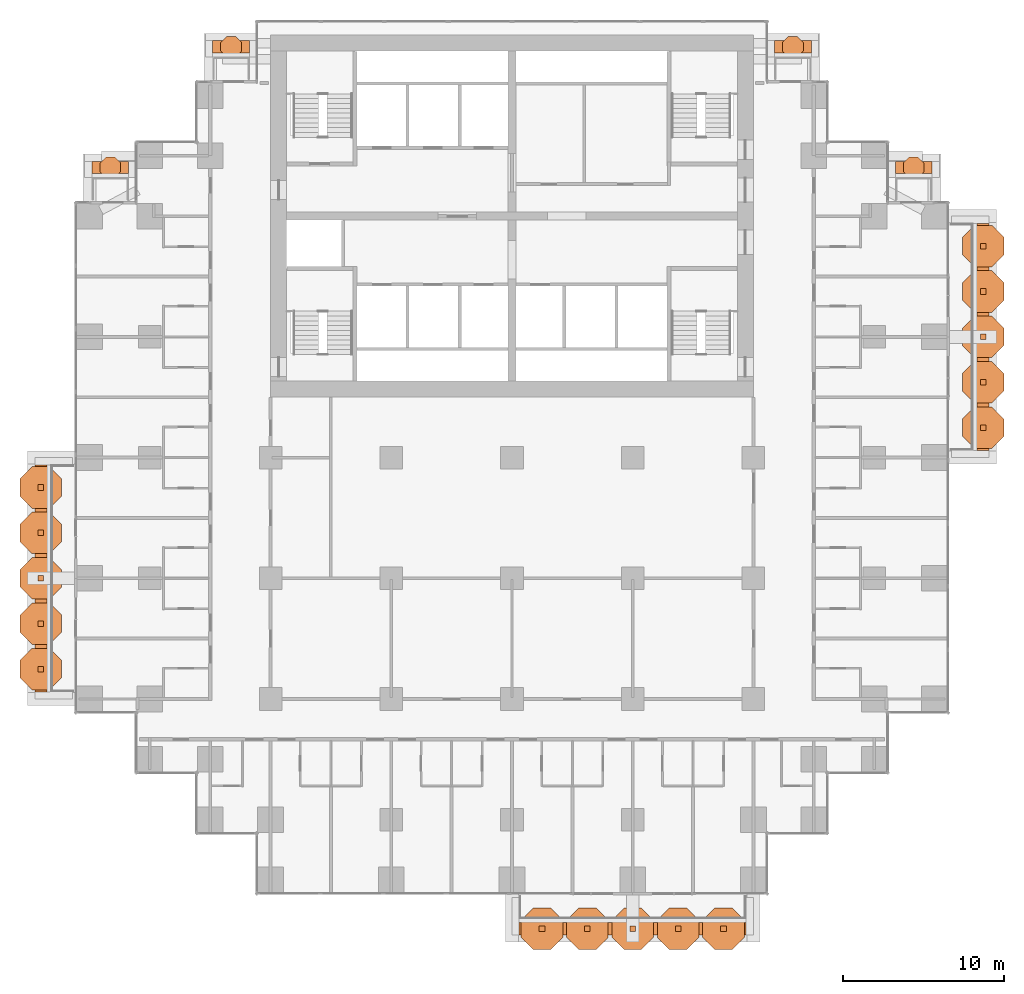
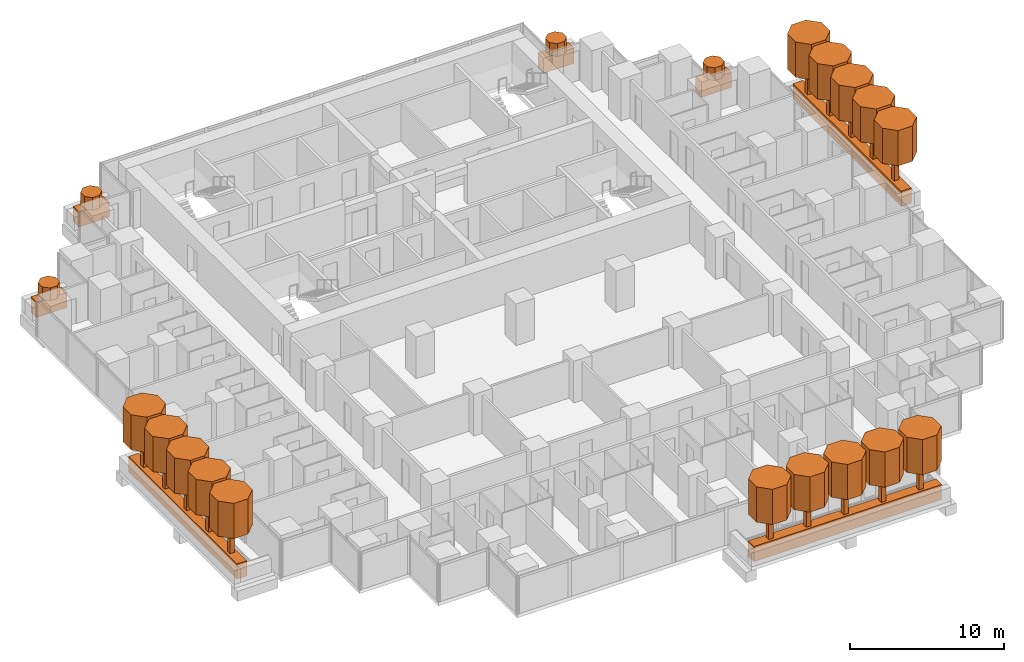
# One storey, part 19 of 19: 41 geographic elements.
"""IFC4 building model written with IfcOpenShell, lengths in metres."""

from ifc_helpers import new_model, si_unit, direction, frame, origin, origin_2d, place, context, subcontext, project, spatial, polyline, rectangle, outline, extrude, material, material_profile, profile_set, type_object, element, save


model = new_model("IFC4")

# Units and contexts
model_context = context("Model", 3, precision=1e-05, world=origin(), true_north=direction((0.0, 1.0)))
body_context = subcontext(model_context, "Body", "Model", "MODEL_VIEW")
ifc_project = project(units=[si_unit("LENGTHUNIT", "METRE"), si_unit("AREAUNIT", "SQUARE_METRE"), si_unit("VOLUMEUNIT", "CUBIC_METRE"), si_unit("PLANEANGLEUNIT", "RADIAN"), si_unit("MASSUNIT", "GRAM", prefix="KILO")], contexts=[model_context])

# Site, building, storey
site_placement = place(None, origin())
site = spatial("IfcSite", under=ifc_project, at=site_placement, CompositionType="ELEMENT")
building_placement = place(site_placement, origin())
building = spatial("IfcBuilding", under=site, at=building_placement, Name="Pilkhan Gate Tower", CompositionType="ELEMENT")
storey_placement = place(building_placement, frame((0.0, 0.0, 46.10009765625)))
storey = spatial("IfcBuildingStorey", under=building, at=storey_placement, Name="L08", CompositionType="ELEMENT", Elevation=46.10009765625)

# Geographic elements
ifc_material_1 = material(Name="Foliage")
ifc_material_profile_1 = material_profile(ifc_material_1, rectangle(XDim=0.75, YDim=1.199951171875, at=origin_2d()), Name="Bed 750x1200")
ifc_profile_set_1 = profile_set([ifc_material_profile_1], Name="Foliage")
geographic_element_type_1 = type_object("IfcGeographicElementType", Name="Planting bed PB1", PredefinedType="USERDEFINED", material=ifc_profile_set_1)
for number, where, z_axis, x_axis, name in (
    (1, (75.449951171875, 38.22509765625, 0.599853515625), (1.0, 0.0, 0.0), (0.0, 1.0, 0.0), "Balcony L08 S planting bed"),
    (2, (104.27490234375, 67.949951171875, 0.599853515625), (0.0, 1.0, 0.0), (-1.0, 0.0, 0.0), "Balcony L08 E planting bed"),
):
    element("IfcGeographicElement", number, at=place(storey_placement, frame(where, z_axis=z_axis, x_axis=x_axis)), inside=storey, type_object=geographic_element_type_1, Name=name, ObjectType="PLANTING BED", PredefinedType="USERDEFINED", context=body_context, shape_type="SweptSolid", body=[
        extrude(rectangle(XDim=0.75, YDim=1.199951171875, at=origin_2d()), origin(), (0.0, 0.0, 1.0), 14.10009765625),
    ])
for number, where, z_axis, x_axis, name in (
    (3, (56.39990234375, 93.02490234375, 0.599853515625), (1.0, 0.0, 0.0), (0.0, 1.0, 0.0), "Balcony L08 N planting bed"),
    (4, (91.300048828125, 93.02490234375, 0.599853515625), (1.0, 0.0, 0.0), (0.0, 1.0, 0.0), "Balcony L08 N planting bed"),
):
    element("IfcGeographicElement", number, at=place(storey_placement, frame(where, z_axis=z_axis, x_axis=x_axis)), inside=storey, type_object=geographic_element_type_1, Name=name, ObjectType="PLANTING BED", PredefinedType="USERDEFINED", context=body_context, shape_type="SweptSolid", body=[
        extrude(rectangle(XDim=0.75, YDim=1.199951171875, at=origin_2d()), origin(), (0.0, 0.0, 1.0), 2.300048828125),
    ])
for number, where, z_axis, x_axis, name in (
    (5, (48.89990234375, 85.52490234375, 0.599853515625), (1.0, 0.0, 0.0), (0.0, 1.0, 0.0), "Balcony L08 N planting bed"),
    (6, (98.820068359375, 85.52490234375, 0.599853515625), (1.0, 0.0, 0.0), (0.0, 1.0, 0.0), "Balcony L08 N planting bed"),
):
    element("IfcGeographicElement", number, at=place(storey_placement, frame(where, z_axis=z_axis, x_axis=x_axis)), inside=storey, type_object=geographic_element_type_1, Name=name, ObjectType="PLANTING BED", PredefinedType="USERDEFINED", context=body_context, shape_type="SweptSolid", body=[
        extrude(rectangle(XDim=0.75, YDim=1.199951171875, at=origin_2d()), origin(), (0.0, 0.0, 1.0), 2.280029296875),
    ])
geographic_element_placement = place(storey_placement, frame((45.72509765625, 52.949951171875, 0.599853515625), z_axis=(0.0, 1.0, 0.0), x_axis=(-1.0, 0.0, 0.0)))
element("IfcGeographicElement", 7, at=geographic_element_placement, inside=storey, type_object=geographic_element_type_1, Name="Balcony L08 W planting bed", ObjectType="PLANTING BED", PredefinedType="USERDEFINED", context=body_context, shape_type="SweptSolid", body=[
    extrude(rectangle(XDim=0.75, YDim=1.199951171875, at=origin_2d()), origin(), (0.0, 0.0, 1.0), 14.10009765625),
])
ifc_material_profile_2 = material_profile(ifc_material_1, outline(polyline([(0.646728515625, 0.267822265625), (0.267822265625, 0.646728515625), (-0.267822265625, 0.646728515625), (-0.646728515625, 0.267822265625), (-0.646728515625, -0.267822265625), (-0.267822265625, -0.646728515625), (0.267822265625, -0.646728515625), (0.646728515625, -0.267822265625), (0.646728515625, 0.267822265625)])), Name="Shrub D1.4")
ifc_profile_set_2 = profile_set([ifc_material_profile_2], Name="Foliage")
geographic_element_type_2 = type_object("IfcGeographicElementType", Name="Shrub SH07", PredefinedType="USERDEFINED", material=ifc_profile_set_2)
for number, where, z_axis, x_axis, name in (
    (8, (57.550048828125, 93.02490234375, 1.199951171875), (0.0, 0.0, 1.0), (1.0, 0.0, 0.0), "Shrub L08 N 1"),
    (9, (92.449951171875, 93.02490234375, 1.199951171875), (0.0, 0.0, 1.0), (1.0, 0.0, 0.0), "Shrub L08 N 1"),
    (10, (50.0400390625, 85.52490234375, 1.199951171875), (0.0, 0.0, 1.0), (1.0, 0.0, 0.0), "Shrub L08 N 1"),
    (11, (99.9599609375, 85.52490234375, 1.199951171875), (0.0, 0.0, 1.0), (1.0, 0.0, 0.0), "Shrub L08 N 1"),
):
    element("IfcGeographicElement", number, at=place(storey_placement, frame(where, z_axis=z_axis, x_axis=x_axis)), inside=storey, type_object=geographic_element_type_2, Name=name, ObjectType="SHRUB", PredefinedType="USERDEFINED", context=body_context, shape_type="SweptSolid", body=[
        extrude(outline(polyline([(0.646728515625, 0.267822265625), (0.267822265625, 0.646728515625), (-0.267822265625, 0.646728515625), (-0.646728515625, 0.267822265625), (-0.646728515625, -0.267822265625), (-0.267822265625, -0.646728515625), (0.267822265625, -0.646728515625), (0.646728515625, -0.267822265625), (0.646728515625, 0.267822265625)])), origin(), (0.0, 0.0, 1.0), 1.0),
    ])
ifc_material_profile_3 = material_profile(ifc_material_1, outline(polyline([(1.29345703125, 0.535888671875), (0.535888671875, 1.29345703125), (-0.535888671875, 1.29345703125), (-1.29345703125, 0.535888671875), (-1.29345703125, -0.535888671875), (-0.535888671875, -1.29345703125), (0.535888671875, -1.29345703125), (1.29345703125, -0.535888671875), (1.29345703125, 0.535888671875)])), Name="Canopy D2.8")
ifc_profile_set_3 = profile_set([ifc_material_profile_3], Name="Foliage")
geographic_element_type_3 = type_object("IfcGeographicElementType", Name="Tree canopy TC14", PredefinedType="USERDEFINED", material=ifc_profile_set_3)
for number, where, z_axis, x_axis, name in (
    (12, (76.860107421875, 38.22509765625, 3.199951171875), (0.0, 0.0, 1.0), (1.0, 0.0, 0.0), "Tree L08 S 1 canopy"),
    (13, (79.679931640625, 38.22509765625, 3.199951171875), (0.0, 0.0, 1.0), (1.0, 0.0, 0.0), "Tree L08 S 2 canopy"),
    (14, (82.5, 38.22509765625, 3.199951171875), (0.0, 0.0, 1.0), (1.0, 0.0, 0.0), "Tree L08 S 3 canopy"),
    (15, (85.320068359375, 38.22509765625, 3.199951171875), (0.0, 0.0, 1.0), (1.0, 0.0, 0.0), "Tree L08 S 4 canopy"),
    (16, (88.139892578125, 38.22509765625, 3.199951171875), (0.0, 0.0, 1.0), (1.0, 0.0, 0.0), "Tree L08 S 5 canopy"),
    (17, (104.27490234375, 69.360107421875, 3.199951171875), (0.0, 0.0, 1.0), (1.0, 0.0, 0.0), "Tree L08 E 1 canopy"),
    (18, (104.27490234375, 72.179931640625, 3.199951171875), (0.0, 0.0, 1.0), (1.0, 0.0, 0.0), "Tree L08 E 2 canopy"),
    (19, (104.27490234375, 75.0, 3.199951171875), (0.0, 0.0, 1.0), (1.0, 0.0, 0.0), "Tree L08 E 3 canopy"),
    (20, (104.27490234375, 77.820068359375, 3.199951171875), (0.0, 0.0, 1.0), (1.0, 0.0, 0.0), "Tree L08 E 4 canopy"),
    (21, (104.27490234375, 80.639892578125, 3.199951171875), (0.0, 0.0, 1.0), (1.0, 0.0, 0.0), "Tree L08 E 5 canopy"),
    (22, (45.72509765625, 54.360107421875, 3.199951171875), (0.0, 0.0, 1.0), (1.0, 0.0, 0.0), "Tree L08 W 1 canopy"),
    (23, (45.72509765625, 57.179931640625, 3.199951171875), (0.0, 0.0, 1.0), (1.0, 0.0, 0.0), "Tree L08 W 2 canopy"),
    (24, (45.72509765625, 60.0, 3.199951171875), (0.0, 0.0, 1.0), (1.0, 0.0, 0.0), "Tree L08 W 3 canopy"),
    (25, (45.72509765625, 62.820068359375, 3.199951171875), (0.0, 0.0, 1.0), (1.0, 0.0, 0.0), "Tree L08 W 4 canopy"),
    (26, (45.72509765625, 65.639892578125, 3.199951171875), (0.0, 0.0, 1.0), (1.0, 0.0, 0.0), "Tree L08 W 5 canopy"),
):
    element("IfcGeographicElement", number, at=place(storey_placement, frame(where, z_axis=z_axis, x_axis=x_axis)), inside=storey, type_object=geographic_element_type_3, Name=name, ObjectType="TREE", PredefinedType="USERDEFINED", context=body_context, shape_type="SweptSolid", body=[
        extrude(outline(polyline([(1.29345703125, 0.535888671875), (0.535888671875, 1.29345703125), (-0.535888671875, 1.29345703125), (-1.29345703125, 0.535888671875), (-1.29345703125, -0.535888671875), (-0.535888671875, -1.29345703125), (0.535888671875, -1.29345703125), (1.29345703125, -0.535888671875), (1.29345703125, 0.535888671875)])), origin(), (0.0, 0.0, 1.0), 2.800048828125),
    ])
ifc_material_2 = material(Name="Timber trunk", Category="wood")
geographic_element_type_4 = type_object("IfcGeographicElementType", Name="Tree trunk TT1", PredefinedType="USERDEFINED", material=ifc_material_2)
for number, where, z_axis, x_axis, name in (
    (27, (76.860107421875, 38.22509765625, 1.199951171875), (0.0, 0.0, 1.0), (1.0, 0.0, 0.0), "Tree L08 S 1 trunk"),
    (28, (79.679931640625, 38.22509765625, 1.199951171875), (0.0, 0.0, 1.0), (1.0, 0.0, 0.0), "Tree L08 S 2 trunk"),
    (29, (82.5, 38.22509765625, 1.199951171875), (0.0, 0.0, 1.0), (1.0, 0.0, 0.0), "Tree L08 S 3 trunk"),
    (30, (85.320068359375, 38.22509765625, 1.199951171875), (0.0, 0.0, 1.0), (1.0, 0.0, 0.0), "Tree L08 S 4 trunk"),
    (31, (88.139892578125, 38.22509765625, 1.199951171875), (0.0, 0.0, 1.0), (1.0, 0.0, 0.0), "Tree L08 S 5 trunk"),
    (32, (104.27490234375, 69.360107421875, 1.199951171875), (0.0, 0.0, 1.0), (1.0, 0.0, 0.0), "Tree L08 E 1 trunk"),
    (33, (104.27490234375, 72.179931640625, 1.199951171875), (0.0, 0.0, 1.0), (1.0, 0.0, 0.0), "Tree L08 E 2 trunk"),
    (34, (104.27490234375, 75.0, 1.199951171875), (0.0, 0.0, 1.0), (1.0, 0.0, 0.0), "Tree L08 E 3 trunk"),
    (35, (104.27490234375, 77.820068359375, 1.199951171875), (0.0, 0.0, 1.0), (1.0, 0.0, 0.0), "Tree L08 E 4 trunk"),
    (36, (104.27490234375, 80.639892578125, 1.199951171875), (0.0, 0.0, 1.0), (1.0, 0.0, 0.0), "Tree L08 E 5 trunk"),
    (37, (45.72509765625, 54.360107421875, 1.199951171875), (0.0, 0.0, 1.0), (1.0, 0.0, 0.0), "Tree L08 W 1 trunk"),
    (38, (45.72509765625, 57.179931640625, 1.199951171875), (0.0, 0.0, 1.0), (1.0, 0.0, 0.0), "Tree L08 W 2 trunk"),
    (39, (45.72509765625, 60.0, 1.199951171875), (0.0, 0.0, 1.0), (1.0, 0.0, 0.0), "Tree L08 W 3 trunk"),
    (40, (45.72509765625, 62.820068359375, 1.199951171875), (0.0, 0.0, 1.0), (1.0, 0.0, 0.0), "Tree L08 W 4 trunk"),
    (41, (45.72509765625, 65.639892578125, 1.199951171875), (0.0, 0.0, 1.0), (1.0, 0.0, 0.0), "Tree L08 W 5 trunk"),
):
    element("IfcGeographicElement", number, at=place(storey_placement, frame(where, z_axis=z_axis, x_axis=x_axis)), inside=storey, type_object=geographic_element_type_4, Name=name, ObjectType="TREE", PredefinedType="USERDEFINED", context=body_context, shape_type="SweptSolid", body=[
        extrude(rectangle(XDim=0.35009765625, YDim=0.35009765625, at=origin_2d()), origin(), (0.0, 0.0, 1.0), 2.0),
    ])

save(model, "model.ifc")
